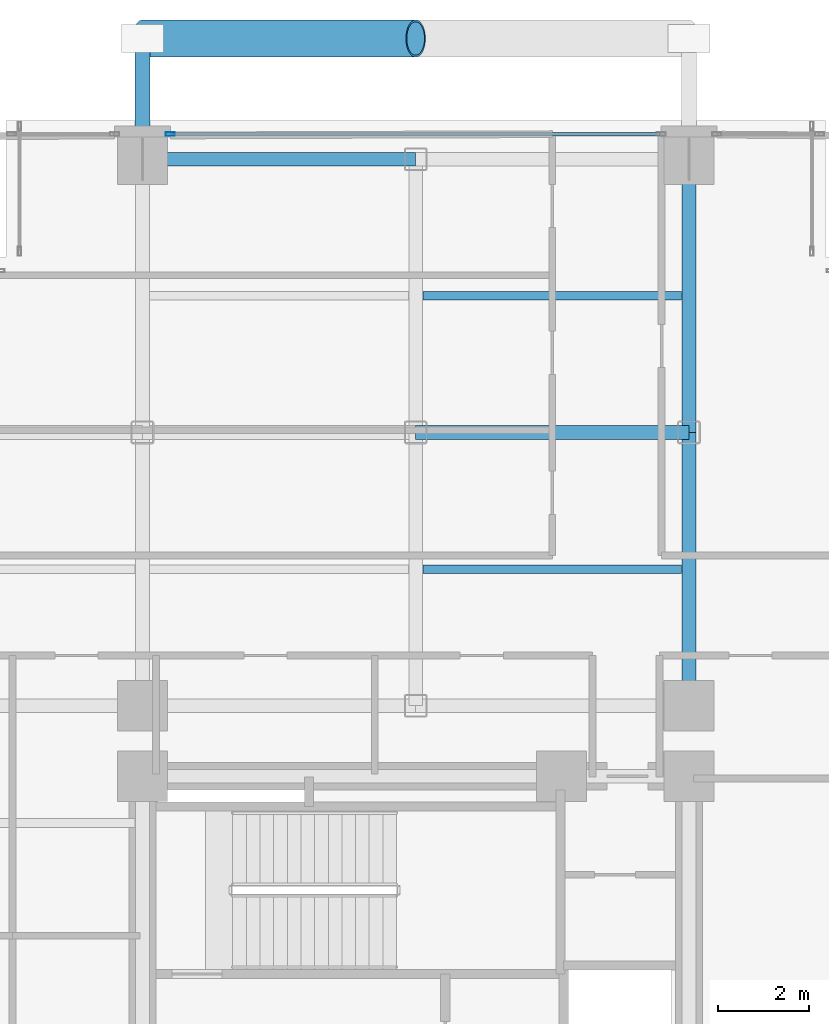
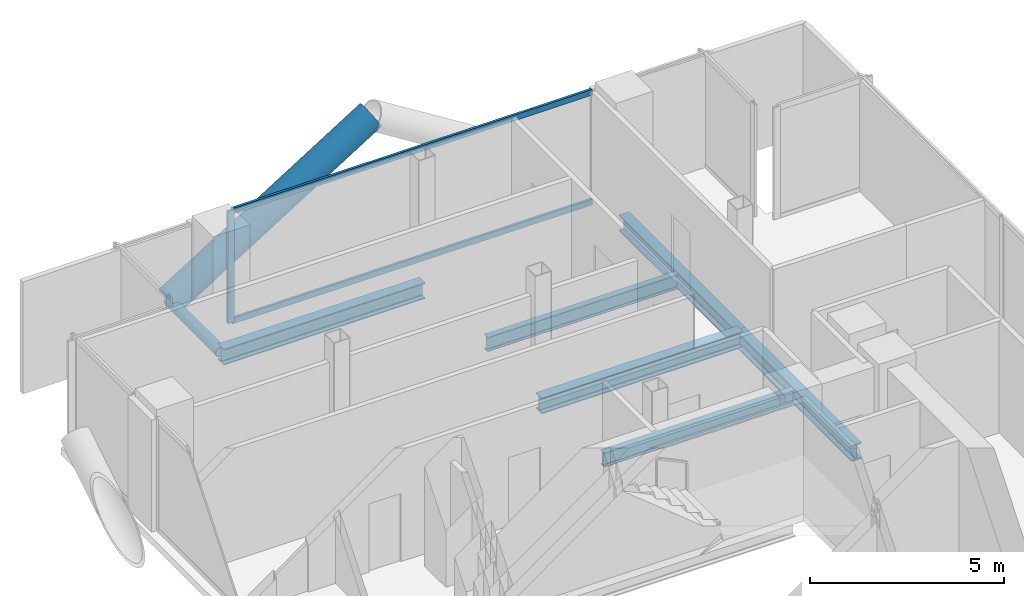
# One storey, part 15 of 24: 6 beams, 5 members, 1 element without a shape of its own.
"""IFC4 building model written with IfcOpenShell, lengths in metres."""

from ifc_helpers import new_model, si_unit, direction, frame, origin, origin_2d, place, context, subcontext, project, spatial, hollow_rectangle, hollow_circle, i_section, extrude, material, layer, layer_set, material_profile, profile_set, type_object, element, aggregate, save


model = new_model("IFC4")

# Units and contexts
model_context = context("Model", 3, precision=1e-05, world=origin(), true_north=direction((0.0, 1.0)))
body_context = subcontext(model_context, "Body", "Model", "MODEL_VIEW")
ifc_project = project(units=[si_unit("LENGTHUNIT", "METRE"), si_unit("AREAUNIT", "SQUARE_METRE"), si_unit("VOLUMEUNIT", "CUBIC_METRE"), si_unit("PLANEANGLEUNIT", "RADIAN"), si_unit("MASSUNIT", "GRAM", prefix="KILO"), si_unit("THERMODYNAMICTEMPERATUREUNIT", "KELVIN"), si_unit("POWERUNIT", "WATT")], contexts=[model_context])

# Site, building, storey
site_placement = place(None, origin())
site = spatial("IfcSite", under=ifc_project, at=site_placement, CompositionType="ELEMENT")
building_placement = place(site_placement, origin())
building = spatial("IfcBuilding", under=site, at=building_placement, Name="Svarakhadi Broadcast Tower", CompositionType="ELEMENT")
storey_placement = place(building_placement, frame((0.0, 0.0, 156.89990234375)))
storey = spatial("IfcBuildingStorey", under=building, at=storey_placement, Name="L38", CompositionType="ELEMENT", Elevation=156.89990234375)

# Beams
ifc_material_1 = material(Name="Steel S355J2 (IS 2062 E350C)", Category="steel")
ifc_material_profile_1 = material_profile(ifc_material_1, i_section(OverallWidth=0.18994140625, OverallDepth=0.449951171875, WebThickness=0.009521484375, FlangeThickness=0.0146484375, FilletRadius=0.02099609375, at=origin_2d()), Name="NPB 450x190x78")
ifc_profile_set_1 = profile_set([ifc_material_profile_1], Name="Steel S355J2 (IS 2062 E350C)")
beam_type_1 = type_object("IfcBeamType", Name="Beam_NPB450", PredefinedType="BEAM", material=ifc_profile_set_1)
for number, where, z_axis, x_axis, name in (
    (1, (12.159912109375, 32.14990234375, -0.449951171875), (1.0, 0.0, 0.0), (0.0, 1.0, 0.0), "L38 Secondary Composite Beam SB014"),
    (2, (12.159912109375, 38.14990234375, -0.449951171875), (1.0, 0.0, 0.0), (0.0, 1.0, 0.0), "L38 Secondary Composite Beam SB015"),
):
    element("IfcBeam", number, at=place(storey_placement, frame(where, z_axis=z_axis, x_axis=x_axis)), inside=storey, type_object=beam_type_1, Name=name, PredefinedType="BEAM", context=body_context, shape_type="SweptSolid", body=[
        extrude(i_section(OverallWidth=0.18994140625, OverallDepth=0.449951171875, WebThickness=0.009521484375, FlangeThickness=0.0146484375, FilletRadius=0.02099609375, at=origin_2d()), origin(), (0.0, 0.0, 1.0), 5.68017578125),
    ])

# Curtain wall, members
ifc_material_2 = material(Name="Anodised Bronze Aluminium AA 6063-T6", Category="aluminium")
ifc_layer = layer(ifc_material_2, 0.199951171875)
ifc_layer_set = layer_set([ifc_layer], Name="Anodised Bronze Aluminium AA 6063-T6")
curtain_wall_type = type_object("IfcCurtainWallType", Name="CW_Sys_03", PredefinedType="NOTDEFINED", material=ifc_layer_set)
curtain_wall_placement = place(storey_placement, origin())
curtain_wall = element("IfcCurtainWall", 3, at=curtain_wall_placement, inside=storey, type_object=curtain_wall_type, Name="L38 Unitised Facade Curtain Wall 06 Bay 2", PredefinedType="NOTDEFINED")
ifc_material_profile_2 = material_profile(ifc_material_2, hollow_rectangle(XDim=0.074951171875, YDim=0.199951171875, WallThickness=0.005615234375, at=origin_2d()), Name="ALU MULLION 200x75x6")
ifc_profile_set_2 = profile_set([ifc_material_profile_2], Name="Anodised Bronze Aluminium AA 6063-T6")
member_type_1 = type_object("IfcMemberType", Name="CW_Sys_03_Mul", PredefinedType="MULLION", material=ifc_profile_set_2)
member_1_placement = place(storey_placement, frame((6.607421875, 41.699951171875, 0.0), z_axis=(0.0, 0.0, 1.0), x_axis=(0.0, 1.0, 0.0)))
member_1 = element("IfcMember", 4, at=member_1_placement, type_object=member_type_1, Name="CW-03 mullion 1", PredefinedType="MULLION", context=body_context, shape_type="SweptSolid", body=[
    extrude(hollow_rectangle(XDim=0.074951171875, YDim=0.199951171875, WallThickness=0.005615234375, at=origin_2d()), origin(), (0.0, 0.0, 1.0), 3.525146484375),
])
ifc_material_profile_3 = material_profile(ifc_material_2, hollow_rectangle(XDim=0.070068359375, YDim=0.18505859375, WallThickness=0.0048828125, at=origin_2d()), Name="ALU TRANSOM 185x70x5")
ifc_profile_set_3 = profile_set([ifc_material_profile_3], Name="Anodised Bronze Aluminium AA 6063-T6")
member_type_2 = type_object("IfcMemberType", Name="CW_Sys_03_Trn", PredefinedType="USERDEFINED", material=ifc_profile_set_3)
member_2_placement = place(storey_placement, frame((6.64501953125, 41.699951171875, 0.03515625), z_axis=(1.0, 0.0, 0.0), x_axis=(0.0, 1.0, 0.0)))
member_2 = element("IfcMember", 5, at=member_2_placement, type_object=member_type_2, Name="CW-03 transom 1.1", ObjectType="TRANSOM", PredefinedType="USERDEFINED", context=body_context, shape_type="SweptSolid", body=[
    extrude(hollow_rectangle(XDim=0.070068359375, YDim=0.18505859375, WallThickness=0.0048828125, at=origin_2d()), origin(), (0.0, 0.0, 1.0), 10.7099609375),
])
member_3_placement = place(storey_placement, frame((6.64501953125, 41.699951171875, 3.489990234375), z_axis=(1.0, 0.0, 0.0), x_axis=(0.0, 1.0, 0.0)))
member_3 = element("IfcMember", 6, at=member_3_placement, type_object=member_type_2, Name="CW-03 transom 1.2", ObjectType="TRANSOM", PredefinedType="USERDEFINED", context=body_context, shape_type="SweptSolid", body=[
    extrude(hollow_rectangle(XDim=0.070068359375, YDim=0.18505859375, WallThickness=0.0048828125, at=origin_2d()), origin(), (0.0, 0.0, 1.0), 10.7099609375),
])
aggregate(curtain_wall, [member_1, member_2, member_3])

# Members
ifc_material_3 = material(Name="Steel S460ML (IS 2062 E450BR)", Category="steel")
ifc_material_profile_4 = material_profile(ifc_material_3, hollow_circle(Radius=0.406494140625, WallThickness=0.0400390625, at=origin_2d()), Name="CHS 813x40")
ifc_profile_set_4 = profile_set([ifc_material_profile_4], Name="Steel S460ML (IS 2062 E450BR)")
member_type_3 = type_object("IfcMemberType", Name="Exo_Brace_CHS813", PredefinedType="BRACE", material=ifc_profile_set_4)
member_4_placement = place(storey_placement, frame((6.0, 43.800048828125, -0.386962890625), z_axis=(0.847998304005, 0.0, 0.529998940003), x_axis=(0.0, 1.0, 0.0)))
element("IfcMember", 7, at=member_4_placement, inside=storey, type_object=member_type_3, Name="L38 Exposed Bronze Exoskeleton Diagonal N08", PredefinedType="BRACE", context=body_context, shape_type="SweptSolid", body=[
    extrude(hollow_circle(Radius=0.406494140625, WallThickness=0.0400390625, at=origin_2d()), origin(), (0.0, 0.0, 1.0), 7.075439453125),
])
ifc_material_profile_5 = material_profile(ifc_material_3, hollow_circle(Radius=0.161865234375, WallThickness=0.01611328125, at=origin_2d()), Name="CHS 323.9x16")
ifc_profile_set_5 = profile_set([ifc_material_profile_5], Name="Steel S460ML (IS 2062 E450BR)")
member_type_4 = type_object("IfcMemberType", Name="Exo_Radial_Strut_Z2", PredefinedType="STRUT", material=ifc_profile_set_5)
member_5_placement = place(storey_placement, frame((6.0, 43.800048828125, -0.386962890625), z_axis=(0.0, -1.0, 0.0), x_axis=(1.0, 0.0, 0.0)))
element("IfcMember", 8, at=member_5_placement, inside=storey, type_object=member_type_4, Name="L38 Exoskeleton Radial Tie Strut N10", PredefinedType="STRUT", context=body_context, shape_type="SweptSolid", body=[
    extrude(hollow_circle(Radius=0.161865234375, WallThickness=0.01611328125, at=origin_2d()), origin(), (0.0, 0.0, 1.0), 2.650146484375),
])

# Beams
ifc_material_profile_6 = material_profile(ifc_material_1, i_section(OverallWidth=0.300048828125, OverallDepth=0.5, WebThickness=0.014404296875, FlangeThickness=0.028076171875, FilletRadius=0.027099609375, at=origin_2d()), Name="WPB 500x300x187")
ifc_profile_set_6 = profile_set([ifc_material_profile_6], Name="Steel S355J2 (IS 2062 E350C)")
beam_type_2 = type_object("IfcBeamType", Name="Girder_WPB500", PredefinedType="USERDEFINED", material=ifc_profile_set_6)
for number, where, z_axis, x_axis, name in (
    (9, (12.0, 35.14990234375, -0.474853515625), (1.0, 0.0, 0.0), (0.0, 1.0, 0.0), "L38 Primary E-W Girder G037"),
    (10, (6.0, 41.14990234375, -0.474853515625), (1.0, 0.0, 0.0), (0.0, 1.0, 0.0), "L38 Primary E-W Girder G038"),
    (11, (18.0, 29.14990234375, -0.474853515625), (0.0, 1.0, 0.0), (-1.0, 0.0, 0.0), "L38 Primary N-S Girder G060"),
    (12, (18.0, 35.14990234375, -0.474853515625), (0.0, 1.0, 0.0), (-1.0, 0.0, 0.0), "L38 Primary N-S Girder G061"),
):
    element("IfcBeam", number, at=place(storey_placement, frame(where, z_axis=z_axis, x_axis=x_axis)), inside=storey, type_object=beam_type_2, Name=name, ObjectType="GIRDER", PredefinedType="USERDEFINED", context=body_context, shape_type="SweptSolid", body=[
        extrude(i_section(OverallWidth=0.300048828125, OverallDepth=0.5, WebThickness=0.014404296875, FlangeThickness=0.028076171875, FilletRadius=0.027099609375, at=origin_2d()), origin(), (0.0, 0.0, 1.0), 6.0),
    ])

save(model, "model.ifc")
